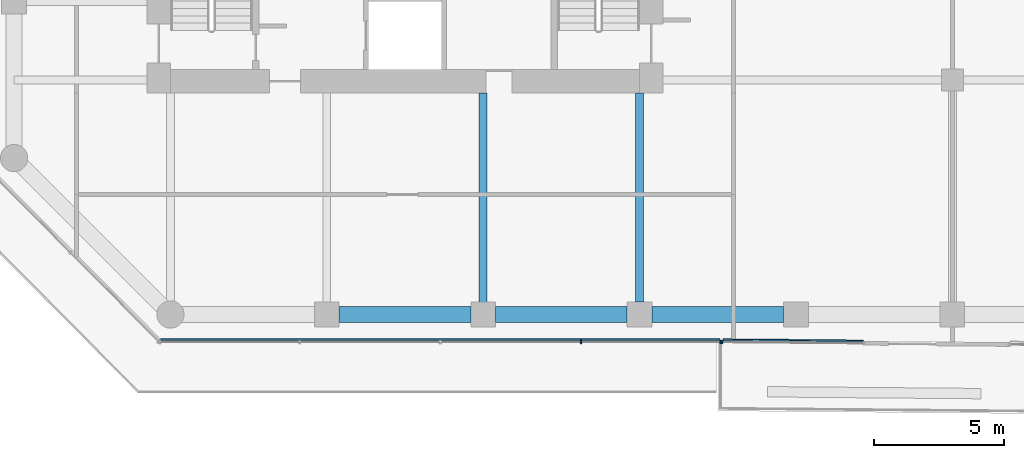
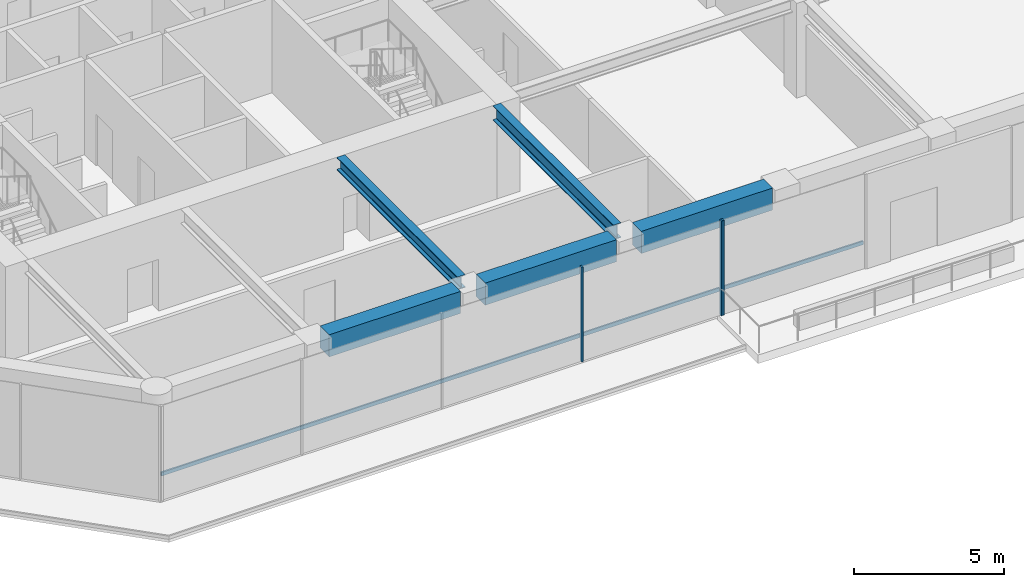
# One storey, part 3 of 29: 5 beams, 5 members, 2 elements without a shape of their own.
"""IFC4 building model written with IfcOpenShell, lengths in metres."""

from ifc_helpers import new_model, si_unit, direction, frame, origin, origin_2d, place, context, subcontext, project, spatial, rectangle, i_section, extrude, material, layer, layer_set, material_profile, profile_set, type_object, element, aggregate, save


model = new_model("IFC4")

# Units and contexts
model_context = context("Model", 3, precision=1e-05, world=origin(), true_north=direction((0.0, 1.0)))
body_context = subcontext(model_context, "Body", "Model", "MODEL_VIEW")
ifc_project = project(units=[si_unit("LENGTHUNIT", "METRE"), si_unit("AREAUNIT", "SQUARE_METRE"), si_unit("VOLUMEUNIT", "CUBIC_METRE"), si_unit("PLANEANGLEUNIT", "RADIAN"), si_unit("MASSUNIT", "GRAM", prefix="KILO")], contexts=[model_context])

# Site, building, storey
site_placement = place(None, origin())
site = spatial("IfcSite", under=ifc_project, at=site_placement, CompositionType="ELEMENT")
building_placement = place(site_placement, origin())
building = spatial("IfcBuilding", under=site, at=building_placement, Name="Welwitschia Terrace Campus", CompositionType="ELEMENT")
storey_placement = place(building_placement, frame((0.0, 0.0, 50.0)))
storey = spatial("IfcBuildingStorey", under=building, at=storey_placement, Name="L11", CompositionType="ELEMENT", Elevation=50.0)

# Beam
ifc_material_1 = material(Name="Steel S355", Category="steel")
ifc_material_profile_1 = material_profile(ifc_material_1, i_section(OverallWidth=0.305908203125, OverallDepth=0.52392578125, WebThickness=0.02099609375, FlangeThickness=0.0400390625, FilletRadius=0.027099609375, at=origin_2d()))
ifc_profile_set_1 = profile_set([ifc_material_profile_1], Name="Steel S355")
beam_type_1 = type_object("IfcBeamType", Name="Interior girder HE 500 M", PredefinedType="BEAM", material=ifc_profile_set_1)
beam_1_placement = place(storey_placement, frame((18.0, -3.534423828125, 3.587890625), z_axis=(0.0, 1.0, 0.0), x_axis=(-1.0, 0.0, 0.0)))
element("IfcBeam", 1, at=beam_1_placement, inside=storey, type_object=beam_type_1, Name="Girder GB2", PredefinedType="BEAM", context=body_context, shape_type="SweptSolid", body=[
    extrude(i_section(OverallWidth=0.305908203125, OverallDepth=0.52392578125, WebThickness=0.02099609375, FlangeThickness=0.0400390625, FilletRadius=0.027099609375, at=origin_2d()), origin(), (0.0, 0.0, 1.0), 8.033447265625),
])

# Curtain wall, members
ifc_material_2 = material(Name="Bronze anodised aluminium", Category="aluminium")
ifc_layer = layer(ifc_material_2, 0.1201171875)
ifc_layer_set = layer_set([ifc_layer], Name="Bronze anodised aluminium")
curtain_wall_type = type_object("IfcCurtainWallType", Name="Curtain wall CW2 tower 6000", PredefinedType="NOTDEFINED", material=ifc_layer_set)
curtain_wall_1_placement = place(storey_placement, origin())
curtain_wall_1 = element("IfcCurtainWall", 2, at=curtain_wall_1_placement, inside=storey, type_object=curtain_wall_type, Name="CW L11.1.0", PredefinedType="NOTDEFINED")
ifc_material_3 = material(Name="Bronze anodised aluminium", Category="aluminium")
ifc_material_profile_2 = material_profile(ifc_material_3, rectangle(XDim=0.1201171875, YDim=0.06005859375, at=origin_2d()))
ifc_profile_set_2 = profile_set([ifc_material_profile_2], Name="Bronze anodised aluminium")
member_type_1 = type_object("IfcMemberType", Name="Mullion 60x120", PredefinedType="MULLION", material=ifc_profile_set_2)
member_1_placement = place(storey_placement, frame((21.745849609375, -5.05810546875, 0.0), z_axis=(0.0, 0.0, 1.0), x_axis=(0.0, 1.0, 0.0)))
member_1 = element("IfcMember", 3, at=member_1_placement, type_object=member_type_1, Name="Mullion L11.1.0.3", PredefinedType="MULLION", context=body_context, shape_type="SweptSolid", body=[
    extrude(rectangle(XDim=0.1201171875, YDim=0.06005859375, at=origin_2d()), origin(), (0.0, 0.0, 1.0), 3.85009765625),
])
member_2_placement = place(storey_placement, frame((27.1103515625, -5.05810546875, 0.0), z_axis=(0.0, 0.0, 1.0), x_axis=(0.0, 1.0, 0.0)))
member_2 = element("IfcMember", 4, at=member_2_placement, type_object=member_type_1, Name="Mullion L11.1.0.4", PredefinedType="MULLION", context=body_context, shape_type="SweptSolid", body=[
    extrude(rectangle(XDim=0.1201171875, YDim=0.06005859375, at=origin_2d()), origin(), (0.0, 0.0, 1.0), 3.85009765625),
])

# Curtain wall, member
curtain_wall_2_placement = place(storey_placement, origin())
curtain_wall_2 = element("IfcCurtainWall", 5, at=curtain_wall_2_placement, inside=storey, type_object=curtain_wall_type, Name="CW L11.2.0", PredefinedType="NOTDEFINED")
member_3_placement = place(storey_placement, frame((27.17041015625, -5.058349609375, 0.0), z_axis=(0.0, 0.0, 1.0), x_axis=(0.008726535498, 0.999961923064, 0.0)))
member_3 = element("IfcMember", 6, at=member_3_placement, type_object=member_type_1, Name="Mullion L11.2.0.0", PredefinedType="MULLION", context=body_context, shape_type="SweptSolid", body=[
    extrude(rectangle(XDim=0.1201171875, YDim=0.06005859375, at=origin_2d()), origin(), (0.0, 0.0, 1.0), 3.85009765625),
])

# Beams
ifc_material_4 = material(Name="Steel S355", Category="steel")
ifc_material_profile_3 = material_profile(ifc_material_4, i_section(OverallWidth=0.300048828125, OverallDepth=0.60009765625, WebThickness=0.015380859375, FlangeThickness=0.030029296875, FilletRadius=0.027099609375, at=origin_2d()))
ifc_profile_set_3 = profile_set([ifc_material_profile_3], Name="Steel S355")
beam_type_2 = type_object("IfcBeamType", Name="Primary beam HE 600 B", PredefinedType="BEAM", material=ifc_profile_set_3)
beam_2_placement = place(storey_placement, frame((24.0, -3.5244140625, 3.550048828125), z_axis=(0.0, 1.0, 0.0), x_axis=(-1.0, 0.0, 0.0)))
element("IfcBeam", 7, at=beam_2_placement, inside=storey, type_object=beam_type_2, Name="Primary beam PB2", PredefinedType="BEAM", context=body_context, shape_type="SweptSolid", body=[
    extrude(i_section(OverallWidth=0.300048828125, OverallDepth=0.60009765625, WebThickness=0.015380859375, FlangeThickness=0.030029296875, FilletRadius=0.027099609375, at=origin_2d()), origin(), (0.0, 0.0, 1.0), 8.0244140625),
])
ifc_material_5 = material(Name="Concrete C60/75", Category="concrete")
ifc_material_profile_4 = material_profile(ifc_material_5, rectangle(XDim=0.60009765625, YDim=0.89990234375, at=origin_2d()))
ifc_profile_set_4 = profile_set([ifc_material_profile_4], Name="Concrete C60/75")
beam_type_3 = type_object("IfcBeamType", Name="Ring spandrel 600x900", PredefinedType="SPANDREL", material=ifc_profile_set_4)
for number, where, z_axis, x_axis, name in (
    (8, (12.4755859375, -4.0, 3.39990234375), (1.0, 0.0, 0.0), (0.0, 1.0, 0.0), "Spandrel SP2"),
    (9, (18.4755859375, -4.0, 3.39990234375), (1.0, 0.0, 0.0), (0.0, 1.0, 0.0), "Spandrel SP2"),
    (10, (24.4755859375, -4.0, 3.39990234375), (1.0, 0.0, 0.0), (0.0, 1.0, 0.0), "Spandrel SP2"),
):
    element("IfcBeam", number, at=place(storey_placement, frame(where, z_axis=z_axis, x_axis=x_axis)), inside=storey, type_object=beam_type_3, Name=name, PredefinedType="SPANDREL", context=body_context, shape_type="SweptSolid", body=[
        extrude(rectangle(XDim=0.60009765625, YDim=0.89990234375, at=origin_2d()), origin(), (0.0, 0.0, 1.0), 5.048828125),
    ])

# Member
ifc_material_6 = material(Name="Bronze anodised aluminium", Category="aluminium")
ifc_material_profile_5 = material_profile(ifc_material_6, rectangle(XDim=0.06005859375, YDim=0.14990234375, at=origin_2d()))
ifc_profile_set_5 = profile_set([ifc_material_profile_5], Name="Bronze anodised aluminium")
member_type_2 = type_object("IfcMemberType", Name="Transom 60x150", PredefinedType="USERDEFINED", material=ifc_profile_set_5)
member_4_placement = place(storey_placement, frame((5.62158203125, -4.968017578125, 1.0), z_axis=(1.0, 0.0, 0.0), x_axis=(0.0, 1.0, 0.0)))
member_4 = element("IfcMember", 11, at=member_4_placement, type_object=member_type_2, Name="Transom L11.1.0", ObjectType="TRANSOM", PredefinedType="USERDEFINED", context=body_context, shape_type="SweptSolid", body=[
    extrude(rectangle(XDim=0.06005859375, YDim=0.14990234375, at=origin_2d()), origin(), (0.0, 0.0, 1.0), 21.458984375),
])

aggregate(curtain_wall_1, [member_1, member_2, member_4])

member_5_placement = place(storey_placement, frame((27.201171875, -4.968505859375, 1.0), z_axis=(0.999961748203, -0.008746549622, 0.0), x_axis=(0.008746549622, 0.999961748203, 0.0)))
member_5 = element("IfcMember", 12, at=member_5_placement, type_object=member_type_2, Name="Transom L11.2.0", ObjectType="TRANSOM", PredefinedType="USERDEFINED", context=body_context, shape_type="SweptSolid", body=[
    extrude(rectangle(XDim=0.06005859375, YDim=0.14990234375, at=origin_2d()), origin(), (0.0, 0.0, 1.0), 5.38720703125),
])

aggregate(curtain_wall_2, [member_3, member_5])

save(model, "model.ifc")
